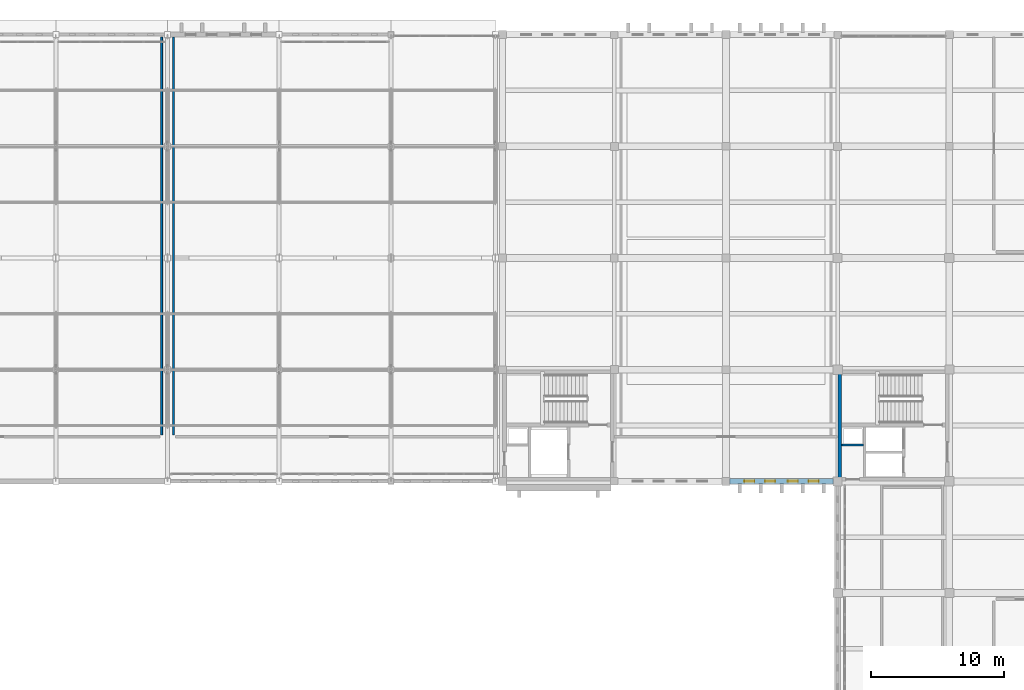
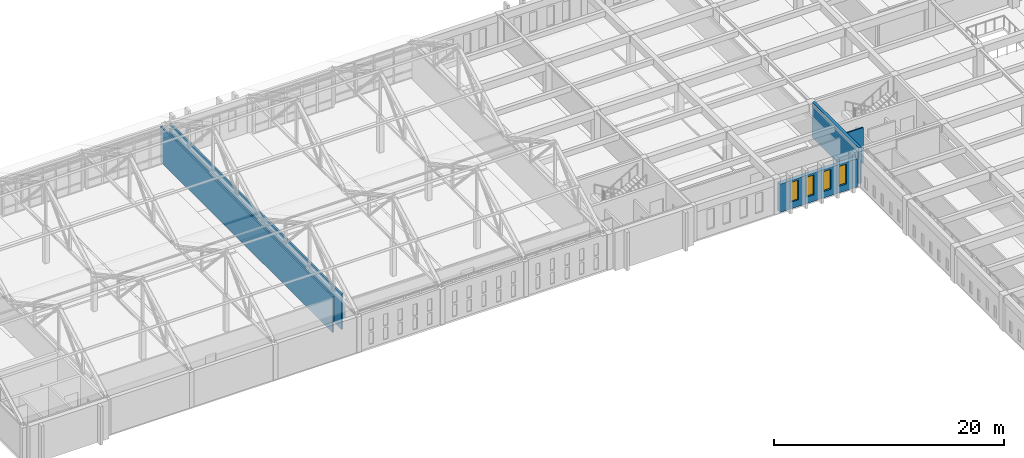
# One storey, part 93 of 110: 5 walls, 4 windows, 4 openings.
"""IFC4 building model written with IfcOpenShell, lengths in metres."""

from ifc_helpers import new_model, si_unit, direction, frame, frame_2d, origin, place, context, subcontext, project, spatial, rectangle, extrude, material, layer, layer_set, type_object, element, fill, save


model = new_model("IFC4")

# Units and contexts
model_context = context("Model", 3, precision=1e-05, world=origin(), true_north=direction((0.0, 1.0)))
body_context = subcontext(model_context, "Body", "Model", "MODEL_VIEW")
ifc_project = project(units=[si_unit("LENGTHUNIT", "METRE"), si_unit("AREAUNIT", "SQUARE_METRE"), si_unit("VOLUMEUNIT", "CUBIC_METRE"), si_unit("PLANEANGLEUNIT", "RADIAN"), si_unit("MASSUNIT", "GRAM", prefix="KILO")], contexts=[model_context])

# Site, building, storey
site_placement = place(None, origin())
site = spatial("IfcSite", under=ifc_project, at=site_placement, CompositionType="ELEMENT")
building_placement = place(site_placement, origin())
building = spatial("IfcBuilding", under=site, at=building_placement, Name="Kveldsbrygga Polytechnic", CompositionType="ELEMENT")
storey_placement = place(building_placement, frame((0.0, 0.0, 9.860107421875)))
storey = spatial("IfcBuildingStorey", under=building, at=storey_placement, Name="L02", CompositionType="ELEMENT", Elevation=9.860107421875)

# Wall, openings, windows
ifc_material_1 = material(Name="Fired clay brick masonry M10", Category="masonry")
ifc_layer_1 = layer(ifc_material_1, 0.39990234375)
ifc_layer_set_1 = layer_set([ifc_layer_1], Name="Fired clay brick masonry M10")
wall_type_1 = type_object("IfcWallType", Name="EW-BRICK-400", PredefinedType="SOLIDWALL", material=ifc_layer_set_1)
wall_1_placement = place(storey_placement, frame((117.885009765625, 84.0, 0.0), z_axis=(0.0, 0.0, 1.0), x_axis=(1.0, 0.0, 0.0)))
wall_1 = element("IfcWall", 1, at=wall_1_placement, inside=storey, type_object=wall_type_1, Name="Exterior Brick Wall EW-L02-X-14-10", PredefinedType="SOLIDWALL", context=body_context, shape_type="SweptSolid", body=[
    extrude(rectangle(XDim=7.7900390625, YDim=0.39990234375, at=frame_2d((3.89501953125, 0.0))), origin(), (0.0, 0.0, 1.0), 3.010009765625),
])
opening_1_placement = place(wall_1_placement, frame((1.10498046875, 0.0, 0.699951171875)))
opening_1 = element("IfcOpeningElement", 2, at=opening_1_placement, cuts=wall_1, Name="Opening W-27", PredefinedType="OPENING", context=body_context, shape_type="SweptSolid", body=[
    extrude(rectangle(XDim=0.75, YDim=2.10009765625, at=frame_2d((0.375, 1.050048828125))), frame((0.0, 0.2099609375, 0.0), z_axis=(0.0, -1.0, 0.0), x_axis=(1.0, 0.0, 0.0)), (0.0, 0.0, 1.0), 0.419921875),
])
opening_2_placement = place(wall_1_placement, frame((2.6630859375, 0.0, 0.699951171875)))
opening_2 = element("IfcOpeningElement", 3, at=opening_2_placement, cuts=wall_1, Name="Opening W-27", PredefinedType="OPENING", context=body_context, shape_type="SweptSolid", body=[
    extrude(rectangle(XDim=0.75, YDim=2.10009765625, at=frame_2d((0.375, 1.050048828125))), frame((0.0, 0.2099609375, 0.0), z_axis=(0.0, -1.0, 0.0), x_axis=(1.0, 0.0, 0.0)), (0.0, 0.0, 1.0), 0.419921875),
])
opening_3_placement = place(wall_1_placement, frame((4.376953125, 0.0, 0.699951171875)))
opening_3 = element("IfcOpeningElement", 4, at=opening_3_placement, cuts=wall_1, Name="Opening W-27", PredefinedType="OPENING", context=body_context, shape_type="SweptSolid", body=[
    extrude(rectangle(XDim=0.75, YDim=2.10009765625, at=frame_2d((0.375, 1.050048828125))), frame((0.0, 0.2099609375, 0.0), z_axis=(0.0, -1.0, 0.0), x_axis=(1.0, 0.0, 0.0)), (0.0, 0.0, 1.0), 0.419921875),
])
opening_4_placement = place(wall_1_placement, frame((5.934814453125, 0.0, 0.699951171875)))
opening_4 = element("IfcOpeningElement", 5, at=opening_4_placement, cuts=wall_1, Name="Opening W-27", PredefinedType="OPENING", context=body_context, shape_type="SweptSolid", body=[
    extrude(rectangle(XDim=0.75, YDim=2.10009765625, at=frame_2d((0.375, 1.050048828125))), frame((0.0, 0.2099609375, 0.0), z_axis=(0.0, -1.0, 0.0), x_axis=(1.0, 0.0, 0.0)), (0.0, 0.0, 1.0), 0.419921875),
])
ifc_material_2 = material(Name="Insulated triple low-E glass", Category="glass")
window_type = type_object("IfcWindowType", Name="WN-ATTIC-075x210", PartitioningType="DOUBLE_PANEL_VERTICAL", PredefinedType="WINDOW", material=ifc_material_2)
window_1_placement = place(opening_1_placement, origin())
window_1 = element("IfcWindow", 6, at=window_1_placement, inside=storey, type_object=window_type, Name="Gothic Lancet Window WIN-L02-X-14-10-1", OverallHeight=2.10009765625, OverallWidth=0.75, PartitioningType="DOUBLE_PANEL_VERTICAL", PredefinedType="WINDOW", context=body_context, shape_type="SweptSolid", body=[
    extrude(rectangle(XDim=0.75, YDim=2.10009765625, at=frame_2d((0.375, 1.050048828125))), frame((0.0, 0.030029296875, 0.0), z_axis=(0.0, -1.0, 0.0), x_axis=(1.0, 0.0, 0.0)), (0.0, 0.0, 1.0), 0.06005859375),
])
fill(opening_1, window_1)
window_2_placement = place(opening_2_placement, origin())
window_2 = element("IfcWindow", 7, at=window_2_placement, inside=storey, type_object=window_type, Name="Gothic Lancet Window WIN-L02-X-14-10-2", OverallHeight=2.10009765625, OverallWidth=0.75, PartitioningType="DOUBLE_PANEL_VERTICAL", PredefinedType="WINDOW", context=body_context, shape_type="SweptSolid", body=[
    extrude(rectangle(XDim=0.75, YDim=2.10009765625, at=frame_2d((0.375, 1.050048828125))), frame((0.0, 0.030029296875, 0.0), z_axis=(0.0, -1.0, 0.0), x_axis=(1.0, 0.0, 0.0)), (0.0, 0.0, 1.0), 0.06005859375),
])
fill(opening_2, window_2)
window_3_placement = place(opening_3_placement, origin())
window_3 = element("IfcWindow", 8, at=window_3_placement, inside=storey, type_object=window_type, Name="Gothic Lancet Window WIN-L02-X-14-10-3", OverallHeight=2.10009765625, OverallWidth=0.75, PartitioningType="DOUBLE_PANEL_VERTICAL", PredefinedType="WINDOW", context=body_context, shape_type="SweptSolid", body=[
    extrude(rectangle(XDim=0.75, YDim=2.10009765625, at=frame_2d((0.375, 1.050048828125))), frame((0.0, 0.030029296875, 0.0), z_axis=(0.0, -1.0, 0.0), x_axis=(1.0, 0.0, 0.0)), (0.0, 0.0, 1.0), 0.06005859375),
])
fill(opening_3, window_3)
window_4_placement = place(opening_4_placement, origin())
window_4 = element("IfcWindow", 9, at=window_4_placement, inside=storey, type_object=window_type, Name="Gothic Lancet Window WIN-L02-X-14-10-4", OverallHeight=2.10009765625, OverallWidth=0.75, PartitioningType="DOUBLE_PANEL_VERTICAL", PredefinedType="WINDOW", context=body_context, shape_type="SweptSolid", body=[
    extrude(rectangle(XDim=0.75, YDim=2.10009765625, at=frame_2d((0.375, 1.050048828125))), frame((0.0, 0.030029296875, 0.0), z_axis=(0.0, -1.0, 0.0), x_axis=(1.0, 0.0, 0.0)), (0.0, 0.0, 1.0), 0.06005859375),
])
fill(opening_4, window_4)

# Walls
ifc_material_3 = material(Name="Moisture-resistant masonry M10", Category="masonry")
ifc_layer_2 = layer(ifc_material_3, 0.1298828125)
ifc_layer_set_2 = layer_set([ifc_layer_2], Name="Moisture-resistant masonry M10")
wall_type_2 = type_object("IfcWallType", Name="IW-SAN-130", PredefinedType="PARTITIONING", material=ifc_layer_set_2)
wall_2_placement = place(storey_placement, frame((126.320068359375, 86.739990234375, 0.0), z_axis=(0.0, 0.0, 1.0), x_axis=(1.0, 0.0, 0.0)))
element("IfcWall", 10, at=wall_2_placement, inside=storey, type_object=wall_type_2, Name="Core AWC Divider C2-L02-W-RSR", PredefinedType="PARTITIONING", context=body_context, shape_type="SweptSolid", body=[
    extrude(rectangle(XDim=1.619873046875, YDim=0.1298828125, at=frame_2d((0.81005859375, 0.0))), origin(), (0.0, 0.0, 1.0), 3.77978515625),
])
ifc_material_4 = material(Name="Gypsum acoustic stud partition")
ifc_layer_3 = layer(ifc_material_4, 0.14990234375)
ifc_layer_set_3 = layer_set([ifc_layer_3], Name="Gypsum acoustic stud partition")
wall_type_3 = type_object("IfcWallType", Name="IW-SEM-150", PredefinedType="PARTITIONING", material=ifc_layer_set_3)
wall_3_placement = place(storey_placement, frame((75.14990234375, 87.5, 0.0), z_axis=(0.0, 0.0, 1.0), x_axis=(0.0, 1.0, 0.0)))
element("IfcWall", 11, at=wall_3_placement, inside=storey, type_object=wall_type_3, Name="Partition Wall IW-SP-L02-SEM21-E1", PredefinedType="PARTITIONING", context=body_context, shape_type="SweptSolid", body=[
    extrude(rectangle(XDim=29.919921875, YDim=0.14990234375, at=frame_2d((14.9599609375, 0.0))), origin(), (0.0, 0.0, 1.0), 3.77978515625),
])
ifc_layer_4 = layer(ifc_material_4, 0.159912109375)
ifc_layer_set_4 = layer_set([ifc_layer_4], Name="Gypsum acoustic stud partition")
wall_type_4 = type_object("IfcWallType", Name="IW-STD-160", PredefinedType="PARTITIONING", material=ifc_layer_set_4)
wall_4_placement = place(storey_placement, frame((76.050048828125, 87.5, 0.0), z_axis=(0.0, 0.0, 1.0), x_axis=(0.0, 1.0, 0.0)))
element("IfcWall", 12, at=wall_4_placement, inside=storey, type_object=wall_type_4, Name="Partition Wall IW-SP-L02-STD21-W1", PredefinedType="PARTITIONING", context=body_context, shape_type="SweptSolid", body=[
    extrude(rectangle(XDim=29.919921875, YDim=0.159912109375, at=frame_2d((14.9599609375, 0.0))), origin(), (0.0, 0.0, 1.0), 3.77978515625),
])
ifc_material_5 = material(Name="Concrete C45/55", Category="concrete")
ifc_layer_5 = layer(ifc_material_5, 0.280029296875)
ifc_layer_set_5 = layer_set([ifc_layer_5], Name="Concrete C45/55")
wall_type_5 = type_object("IfcWallType", Name="WL-CORE-280", PredefinedType="SHEAR", material=ifc_layer_set_5)
wall_5_placement = place(storey_placement, frame((126.14990234375, 84.14990234375, 0.0), z_axis=(0.0, 0.0, 1.0), x_axis=(0.0, 1.0, 0.0)))
element("IfcWall", 13, at=wall_5_placement, inside=storey, type_object=wall_type_5, Name="Core C2 Shear Wall C2-L02-SW-W", PredefinedType="SHEAR", context=body_context, shape_type="SweptSolid", body=[
    extrude(rectangle(XDim=8.10009765625, YDim=0.280029296875, at=frame_2d((4.050048828125, 0.0))), origin(), (0.0, 0.0, 1.0), 3.77978515625),
])

save(model, "model.ifc")
